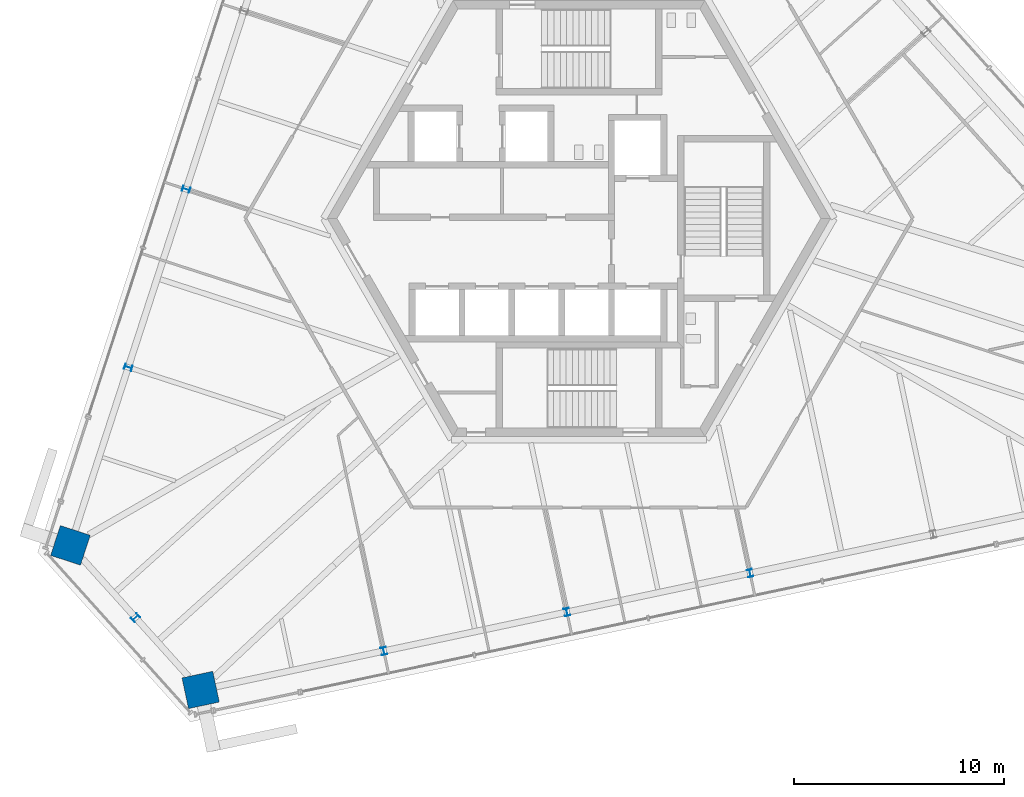
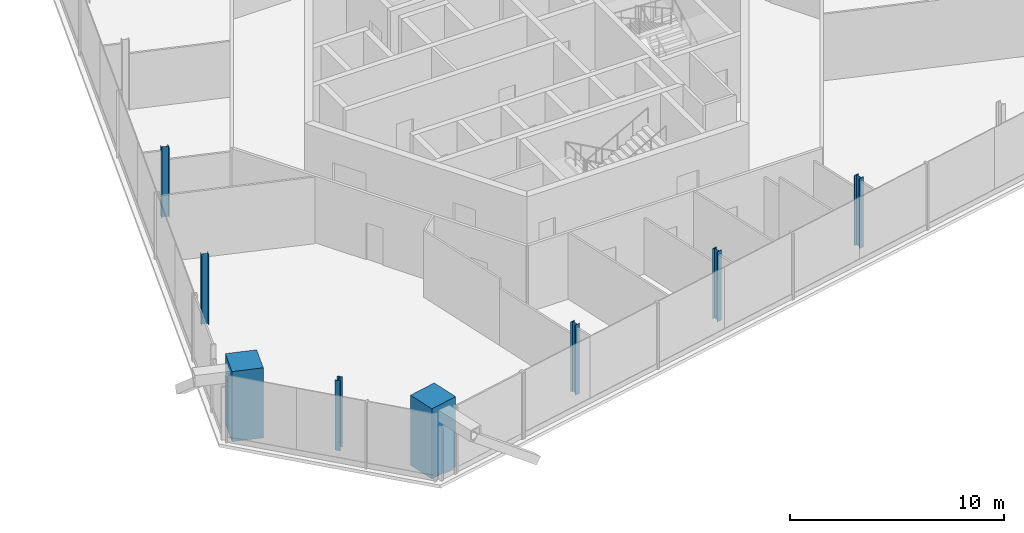
# One storey, part 1 of 16: 8 columns.
"""IFC4 building model written with IfcOpenShell, lengths in metres."""

from ifc_helpers import new_model, si_unit, direction, frame, origin, origin_2d, place, context, subcontext, project, spatial, rectangle, i_section, extrude, source, transform, mapped, material, material_profile, profile_set, type_object, element, save


model = new_model("IFC4")

# Units and contexts
model_context = context("Model", 3, precision=1e-05, world=origin(), true_north=direction((0.0, 1.0)))
body_context = subcontext(model_context, "Body", "Model", "MODEL_VIEW")
ifc_project = project(units=[si_unit("LENGTHUNIT", "METRE"), si_unit("AREAUNIT", "SQUARE_METRE"), si_unit("VOLUMEUNIT", "CUBIC_METRE"), si_unit("PLANEANGLEUNIT", "RADIAN"), si_unit("MASSUNIT", "GRAM", prefix="KILO")], contexts=[model_context])

# Site, building, storey
site_placement = place(None, origin())
site = spatial("IfcSite", under=ifc_project, at=site_placement, CompositionType="ELEMENT")
building_placement = place(site_placement, origin())
building = spatial("IfcBuilding", under=site, at=building_placement, Name="Triune Harvest Tower", CompositionType="ELEMENT")
storey_placement = place(building_placement, frame((0.0, 0.0, 292.699951171875)))
storey = spatial("IfcBuildingStorey", under=building, at=storey_placement, Name="L77", CompositionType="ELEMENT", Elevation=292.699951171875)

# Columns
ifc_material_1 = material(Name="Concrete 70 MPa", Category="concrete")
ifc_material_profile_1 = material_profile(ifc_material_1, rectangle(XDim=1.5, YDim=1.5, at=origin_2d()), Name="Composite 1500x1500")
ifc_profile_set_1 = profile_set([ifc_material_profile_1], Name="Concrete 70 MPa")
column_type_1 = type_object("IfcColumnType", Name="MC-7 Mega column Composite 1500x1500", PredefinedType="COLUMN", material=ifc_profile_set_1)
shared_shape_1 = source(origin(), body_context, "Body", "SweptSolid", [
    extrude(rectangle(XDim=1.5, YDim=1.5, at=origin_2d()), origin(), (0.0, 0.0, 1.0), 4.0),
])
for number, where, z_axis, x_axis, name in (
    (1, (-24.24853515625, -15.58984375, 0.0), (0.0, 0.0, 1.0), (-0.309015334468, -0.95105705563, 0.0), "col/L77/M12"),
    (2, (-18.0390625, -22.486083984375, 0.0), (0.0, 0.0, 1.0), (0.978147237858, 0.207913398007, 0.0), "col/L77/M14"),
):
    element("IfcColumn", number, at=place(storey_placement, frame(where, z_axis=z_axis, x_axis=x_axis)), inside=storey, type_object=column_type_1, Name=name, PredefinedType="COLUMN", context=body_context, shape_type="MappedRepresentation", body=[
        mapped(shared_shape_1, transform((0.0, 0.0, 0.0), scale=1.0)),
    ])
ifc_material_2 = material(Name="Steel ASTM A992 Gr 50", Category="steel")
ifc_material_profile_2 = material_profile(ifc_material_2, i_section(OverallWidth=0.256591796875, OverallDepth=0.360595703125, WebThickness=0.011474609375, FlangeThickness=0.02001953125, at=origin_2d()), Name="W14x74")
ifc_profile_set_2 = profile_set([ifc_material_profile_2], Name="Steel ASTM A992 Gr 50")
column_type_2 = type_object("IfcColumnType", Name="PC-7 Perimeter column W14x74", PredefinedType="COLUMN", material=ifc_profile_set_2)
shared_shape_2 = source(origin(), body_context, "Body", "SweptSolid", [
    extrude(i_section(OverallWidth=0.256591796875, OverallDepth=0.360595703125, WebThickness=0.011474609375, FlangeThickness=0.02001953125, at=origin_2d()), origin(), (0.0, 0.0, 1.0), 4.0),
])
for number, where, z_axis, x_axis, name in (
    (3, (-18.730712890625, 1.392333984375, 0.0), (0.0, 0.0, 1.0), (-0.309015334468, -0.95105705563, 0.0), "col/L77/P10"),
    (4, (-21.48974609375, -7.098876953125, 0.0), (0.0, 0.0, 1.0), (-0.309015334468, -0.95105705563, 0.0), "col/L77/P11"),
    (5, (-21.143798828125, -19.0380859375, 0.0), (0.0, 0.0, 1.0), (0.669129309325, -0.743145993329, 0.0), "col/L77/P13"),
    (6, (-9.30615234375, -20.6298828125, 0.0), (0.0, 0.0, 1.0), (0.978147237858, 0.207913398007, 0.0), "col/L77/P15"),
    (7, (-0.5732421875, -18.773681640625, 0.0), (0.0, 0.0, 1.0), (0.978147237858, 0.207913398007, 0.0), "col/L77/P16"),
    (8, (8.15966796875, -16.91748046875, 0.0), (0.0, 0.0, 1.0), (0.978147237858, 0.207913398007, 0.0), "col/L77/P17"),
):
    element("IfcColumn", number, at=place(storey_placement, frame(where, z_axis=z_axis, x_axis=x_axis)), inside=storey, type_object=column_type_2, Name=name, PredefinedType="COLUMN", context=body_context, shape_type="MappedRepresentation", body=[
        mapped(shared_shape_2, transform((0.0, 0.0, 0.0), scale=1.0)),
    ])

save(model, "model.ifc")
